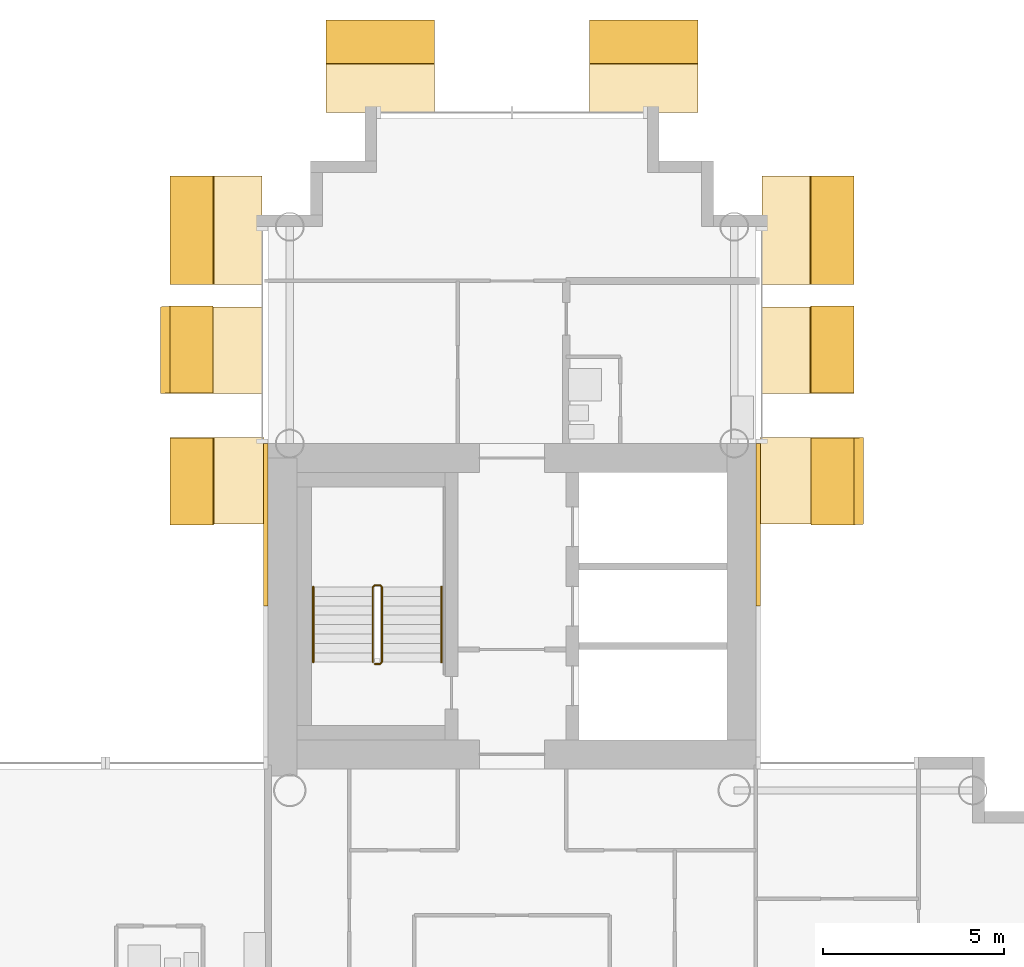
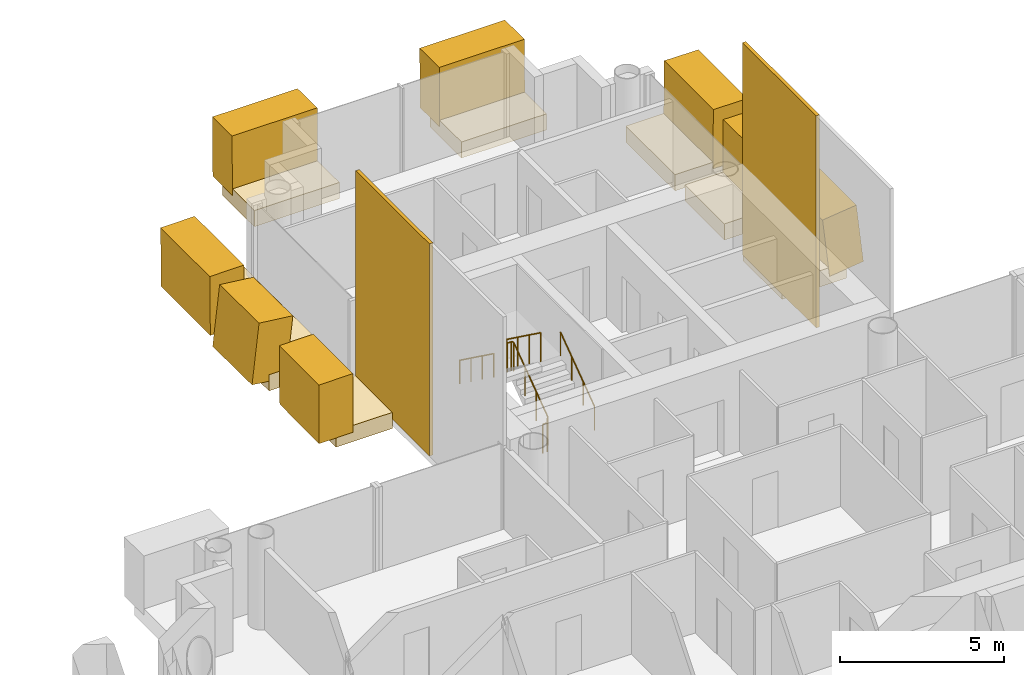
# One storey, part 17 of 18: 18 coverings, 3 railings.
"""IFC4 building model written with IfcOpenShell, lengths in metres."""

from ifc_helpers import new_model, si_unit, direction, frame, origin, origin_2d, place, context, subcontext, project, spatial, rectangle, circle, extrude, material, layer, layer_set, material_profile, profile_set, type_object, element, save


model = new_model("IFC4")

# Units and contexts
model_context = context("Model", 3, precision=1e-05, world=origin(), true_north=direction((0.0, 1.0)))
body_context = subcontext(model_context, "Body", "Model", "MODEL_VIEW")
ifc_project = project(units=[si_unit("LENGTHUNIT", "METRE"), si_unit("AREAUNIT", "SQUARE_METRE"), si_unit("VOLUMEUNIT", "CUBIC_METRE"), si_unit("PLANEANGLEUNIT", "RADIAN"), si_unit("MASSUNIT", "GRAM", prefix="KILO")], contexts=[model_context])

# Site, building, storey
site_placement = place(None, origin())
site = spatial("IfcSite", under=ifc_project, at=site_placement, CompositionType="ELEMENT")
building_placement = place(site_placement, origin())
building = spatial("IfcBuilding", under=site, at=building_placement, Name="Ipe Terrace Towers", CompositionType="ELEMENT")
storey_placement = place(building_placement, frame((0.0, 0.0, 177.89990234375)))
storey = spatial("IfcBuildingStorey", under=building, at=storey_placement, Name="L49", CompositionType="ELEMENT", Elevation=177.89990234375)

# Coverings
ifc_material_1 = material(Name="Concrete C50/60 precast, buff finish", Category="concrete")
ifc_layer = layer(ifc_material_1, 0.1201171875)
ifc_layer_set = layer_set([ifc_layer], Name="STONE CORE CLADDING 120")
covering_type_1 = type_object("IfcCoveringType", Name="STONE CORE CLADDING 120", PredefinedType="CLADDING", material=ifc_layer_set)
for number, where, z_axis, x_axis, name in (
    (1, (29.18994140625, 13.5, 0.000244140625), (0.0, 0.0, 1.0), (0.0, -1.0, 0.0), "stone core cladding"),
    (2, (42.81005859375, 13.5, 0.000244140625), (0.0, 0.0, 1.0), (0.0, 1.0, 0.0), "stone core cladding"),
):
    element("IfcCovering", number, at=place(storey_placement, frame(where, z_axis=z_axis, x_axis=x_axis)), inside=storey, type_object=covering_type_1, Name=name, PredefinedType="CLADDING", context=body_context, shape_type="SweptSolid", body=[
        extrude(rectangle(XDim=4.5009765625, YDim=0.1201171875, at=origin_2d()), origin(), (0.0, 0.0, 1.0), 7.89990234375),
    ])
ifc_material_2 = material(Name="Concrete C50/60 precast, buff finish", Category="concrete")
ifc_material_profile_1 = material_profile(ifc_material_2, rectangle(XDim=2.39990234375, YDim=1.199951171875, at=origin_2d()), Name="STONE FIN 2400 x 1200")
ifc_profile_set_1 = profile_set([ifc_material_profile_1], Name="Concrete C50/60 precast, buff finish")
covering_type_2 = type_object("IfcCoveringType", Name="STONE FIN 2400 x 1200", PredefinedType="USERDEFINED", material=ifc_profile_set_1)
covering_1_placement = place(storey_placement, frame((26.8720703125, 18.3330078125, 0.0), z_axis=(0.116377376115, 0.007714409402, 0.993175107529), x_axis=(0.000897809448, -0.999970243501, 0.00766198738)))
element("IfcCovering", 3, at=covering_1_placement, inside=storey, type_object=covering_type_2, Name="stone fin", ObjectType="FIN", PredefinedType="USERDEFINED", context=body_context, shape_type="SweptSolid", body=[
    extrude(rectangle(XDim=2.39990234375, YDim=1.199951171875, at=origin_2d()), origin(), (0.0, 0.0, 1.0), 2.21533203125),
])
for number, where, z_axis, x_axis, name in (
    (4, (27.152099609375, 14.717041015625, 0.0), (-0.01009682828, -0.007766790985, 0.999918862217), (7.8422315e-05, -0.999969838024, -0.007766395054), "stone fin"),
    (5, (44.847900390625, 18.3330078125, 0.0), (0.01009682828, 0.007766790985, 0.999918862217), (-7.8422315e-05, 0.999969838024, -0.007766395054), "stone fin"),
):
    element("IfcCovering", number, at=place(storey_placement, frame(where, z_axis=z_axis, x_axis=x_axis)), inside=storey, type_object=covering_type_2, Name=name, ObjectType="FIN", PredefinedType="USERDEFINED", context=body_context, shape_type="SweptSolid", body=[
        extrude(rectangle(XDim=2.39990234375, YDim=1.199951171875, at=origin_2d()), origin(), (0.0, 0.0, 1.0), 2.200439453125),
    ])
covering_2_placement = place(storey_placement, frame((45.1279296875, 14.717041015625, 0.0), z_axis=(-0.116377376115, -0.007714409402, 0.993175107529), x_axis=(-0.000897809448, 0.999970243501, 0.00766198738)))
element("IfcCovering", 6, at=covering_2_placement, inside=storey, type_object=covering_type_2, Name="stone fin", ObjectType="FIN", PredefinedType="USERDEFINED", context=body_context, shape_type="SweptSolid", body=[
    extrude(rectangle(XDim=2.39990234375, YDim=1.199951171875, at=origin_2d()), origin(), (0.0, 0.0, 1.0), 2.21533203125),
])
ifc_material_3 = material(Name="Concrete C50/60 precast, buff finish", Category="concrete")
ifc_material_profile_2 = material_profile(ifc_material_3, rectangle(XDim=3.0, YDim=1.199951171875, at=origin_2d()), Name="STONE FIN CORNER 3000 x 1200")
ifc_profile_set_2 = profile_set([ifc_material_profile_2], Name="Concrete C50/60 precast, buff finish")
covering_type_3 = type_object("IfcCoveringType", Name="STONE FIN CORNER 3000 x 1200", PredefinedType="USERDEFINED", material=ifc_profile_set_2)
for number, where, z_axis, x_axis, name in (
    (7, (27.152099609375, 21.64990234375, 0.0), (-0.01009713283, 0.0, 0.999949022655), (0.0, -1.0, 0.0), "stone fin"),
    (8, (32.35009765625, 26.847900390625, 0.0), (0.0, 0.01009713283, 0.999949022655), (-1.0, 0.0, 0.0), "stone fin"),
    (9, (39.64990234375, 26.847900390625, 0.0), (0.0, 0.01009713283, 0.999949022655), (-1.0, 0.0, 0.0), "stone fin"),
    (10, (44.847900390625, 21.64990234375, 0.0), (0.01009713283, 0.0, 0.999949022655), (0.0, 1.0, 0.0), "stone fin"),
):
    element("IfcCovering", number, at=place(storey_placement, frame(where, z_axis=z_axis, x_axis=x_axis)), inside=storey, type_object=covering_type_3, Name=name, ObjectType="FIN", PredefinedType="USERDEFINED", context=body_context, shape_type="SweptSolid", body=[
        extrude(rectangle(XDim=3.0, YDim=1.199951171875, at=origin_2d()), origin(), (0.0, 0.0, 1.0), 2.2001953125),
    ])
ifc_material_4 = material(Name="Concrete C50/60 precast, buff finish", Category="concrete")
covering_type_4 = type_object("IfcCoveringType", Name="STONE FIN SHELF 2400 x 600", PredefinedType="CLADDING", material=ifc_material_4)
covering_3_placement = place(storey_placement, frame((27.97802734375, 18.3330078125, -0.349853515625), z_axis=(0.0, 0.0, 1.0), x_axis=(0.0, -1.0, 0.0)))
element("IfcCovering", 11, at=covering_3_placement, inside=storey, type_object=covering_type_4, Name="stone fin shelf", PredefinedType="CLADDING", context=body_context, shape_type="SweptSolid", body=[
    extrude(rectangle(XDim=2.39990234375, YDim=2.2119140625, at=origin_2d()), origin(), (0.0, 0.0, 1.0), 0.60009765625),
])
covering_4_placement = place(storey_placement, frame((28.14599609375, 14.717041015625, -0.349853515625), z_axis=(0.0, 0.0, 1.0), x_axis=(0.0, -1.0, 0.0)))
element("IfcCovering", 12, at=covering_4_placement, inside=storey, type_object=covering_type_4, Name="stone fin shelf", PredefinedType="CLADDING", context=body_context, shape_type="SweptSolid", body=[
    extrude(rectangle(XDim=2.39990234375, YDim=1.988037109375, at=origin_2d()), origin(), (0.0, 0.0, 1.0), 0.60009765625),
])
covering_5_placement = place(storey_placement, frame((43.882080078125, 18.3330078125, -0.349853515625), z_axis=(0.0, 0.0, 1.0), x_axis=(0.0, 1.0, 0.0)))
element("IfcCovering", 13, at=covering_5_placement, inside=storey, type_object=covering_type_4, Name="stone fin shelf", PredefinedType="CLADDING", context=body_context, shape_type="SweptSolid", body=[
    extrude(rectangle(XDim=2.39990234375, YDim=1.931884765625, at=origin_2d()), origin(), (0.0, 0.0, 1.0), 0.60009765625),
])
covering_6_placement = place(storey_placement, frame((43.993896484375, 14.717041015625, -0.349853515625), z_axis=(0.0, 0.0, 1.0), x_axis=(0.0, 1.0, 0.0)))
element("IfcCovering", 14, at=covering_6_placement, inside=storey, type_object=covering_type_4, Name="stone fin shelf", PredefinedType="CLADDING", context=body_context, shape_type="SweptSolid", body=[
    extrude(rectangle(XDim=2.39990234375, YDim=2.26806640625, at=origin_2d()), origin(), (0.0, 0.0, 1.0), 0.60009765625),
])
ifc_material_5 = material(Name="Concrete C50/60 precast, buff finish", Category="concrete")
covering_type_5 = type_object("IfcCoveringType", Name="STONE FIN SHELF 3000 x 600", PredefinedType="CLADDING", material=ifc_material_5)
for number, where, z_axis, x_axis, name in (
    (15, (28.117919921875, 21.64990234375, -0.349853515625), (0.0, 0.0, 1.0), (0.0, -1.0, 0.0), "stone fin shelf"),
    (16, (32.35009765625, 25.882080078125, -0.349853515625), (0.0, 0.0, 1.0), (-1.0, 0.0, 0.0), "stone fin shelf"),
    (17, (39.64990234375, 25.882080078125, -0.349853515625), (0.0, 0.0, 1.0), (-1.0, 0.0, 0.0), "stone fin shelf"),
    (18, (43.882080078125, 21.64990234375, -0.349853515625), (0.0, 0.0, 1.0), (0.0, 1.0, 0.0), "stone fin shelf"),
):
    element("IfcCovering", number, at=place(storey_placement, frame(where, z_axis=z_axis, x_axis=x_axis)), inside=storey, type_object=covering_type_5, Name=name, PredefinedType="CLADDING", context=body_context, shape_type="SweptSolid", body=[
        extrude(rectangle(XDim=3.0, YDim=1.931884765625, at=origin_2d()), origin(), (0.0, 0.0, 1.0), 0.60009765625),
    ])

# Railings
ifc_material_6 = material(Name="Steel S355", Category="steel")
railing_type_1 = type_object("IfcRailingType", Name="Stair guard 1100", PredefinedType="GUARDRAIL", material=ifc_material_6)
railing_1_placement = place(storey_placement, frame((32.199951171875, 9.64990234375, 0.0)))
element("IfcRailing", 19, at=railing_1_placement, inside=storey, type_object=railing_type_1, Name="L49 T2-ST1 stair guard 1", PredefinedType="GUARDRAIL", context=body_context, shape_type="SweptSolid", body=[
    extrude(circle(Radius=0.02392578125, at=origin_2d()), frame((0.0, 0.0, 1.076171875), z_axis=(1.0, 0.0, 0.0), x_axis=(0.0, 1.0, 0.0)), (0.0, 0.0, 1.0), 0.150146484375),
    extrude(circle(Radius=0.02392578125, at=origin_2d()), frame((0.150146484375, 0.0, 1.076171875), z_axis=(0.246893586699, 0.248103849378, 0.936743314239), x_axis=(-0.708833529934, 0.705375805398, 0.0)), (0.0, 0.0, 1.0), 0.20166015625),
    extrude(circle(Radius=0.02392578125, at=origin_2d()), frame((0.199951171875, 0.050048828125, 1.26513671875), z_axis=(0.0, 0.809023421508, 0.587776406001), x_axis=(-1.0, 0.0, 0.0)), (0.0, 0.0, 1.0), 2.571044921875),
    extrude(circle(Radius=0.02392578125, at=origin_2d()), frame((0.199951171875, 2.130126953125, 2.7763671875), z_axis=(-0.705375805398, 0.708833529934, 0.0), x_axis=(-0.708833529934, -0.705375805398, 0.0)), (0.0, 0.0, 1.0), 0.070556640625),
    extrude(circle(Radius=0.02392578125, at=origin_2d()), frame((0.150146484375, 2.18017578125, 2.7763671875), z_axis=(-1.0, 0.0, 0.0), x_axis=(0.0, -1.0, 0.0)), (0.0, 0.0, 1.0), 0.150146484375),
    extrude(circle(Radius=0.02392578125, at=origin_2d()), frame((0.0, 2.18017578125, 2.7763671875), z_axis=(-0.248310886586, -0.248310886586, 0.936313733321), x_axis=(0.707106781187, -0.707106781187, 0.0)), (0.0, 0.0, 1.0), 0.20166015625),
    extrude(circle(Radius=0.02392578125, at=origin_2d()), frame((-0.050048828125, 2.130126953125, 2.96484375), z_axis=(0.0, -0.809023421508, 0.587776406001), x_axis=(1.0, 0.0, 0.0)), (0.0, 0.0, 1.0), 2.571044921875),
    extrude(circle(Radius=0.02099609375, at=origin_2d()), origin(), (0.0, 0.0, 1.0), 1.052001953125),
    extrude(circle(Radius=0.02099609375, at=origin_2d()), frame((0.150146484375, 0.0, 0.0)), (0.0, 0.0, 1.0), 1.052001953125),
    extrude(circle(Radius=0.02099609375, at=origin_2d()), frame((0.199951171875, 0.050048828125, 0.18896484375)), (0.0, 0.0, 1.0), 1.052001953125),
    extrude(circle(Radius=0.02099609375, at=origin_2d()), frame((0.199951171875, 0.743408203125, 0.692626953125)), (0.0, 0.0, 1.0), 1.052001953125),
    extrude(circle(Radius=0.02099609375, at=origin_2d()), frame((0.199951171875, 1.436767578125, 1.196533203125)), (0.0, 0.0, 1.0), 1.052001953125),
    extrude(circle(Radius=0.02099609375, at=origin_2d()), frame((0.199951171875, 2.130126953125, 1.7001953125)), (0.0, 0.0, 1.0), 1.052001953125),
    extrude(circle(Radius=0.02099609375, at=origin_2d()), frame((0.150146484375, 2.18017578125, 1.7001953125)), (0.0, 0.0, 1.0), 1.052001953125),
    extrude(circle(Radius=0.02099609375, at=origin_2d()), frame((0.0, 2.18017578125, 1.7001953125)), (0.0, 0.0, 1.0), 1.052001953125),
    extrude(circle(Radius=0.02099609375, at=origin_2d()), frame((-0.050048828125, 2.130126953125, 1.888916015625)), (0.0, 0.0, 1.0), 1.052001953125),
    extrude(circle(Radius=0.02099609375, at=origin_2d()), frame((-0.050048828125, 1.436767578125, 2.392578125)), (0.0, 0.0, 1.0), 1.052001953125),
    extrude(circle(Radius=0.02099609375, at=origin_2d()), frame((-0.050048828125, 0.743408203125, 2.896484375)), (0.0, 0.0, 1.0), 1.052001953125),
    extrude(circle(Radius=0.02099609375, at=origin_2d()), frame((-0.050048828125, 0.050048828125, 3.400146484375)), (0.0, 0.0, 1.0), 1.052001953125),
])
ifc_material_7 = material(Name="Stainless steel grade 304", Category="steel")
railing_type_2 = type_object("IfcRailingType", Name="Stair handrail 900", PredefinedType="HANDRAIL", material=ifc_material_7)
railing_2_placement = place(storey_placement, frame((34.050048828125, 9.699951171875, 0.18896484375)))
element("IfcRailing", 20, at=railing_2_placement, inside=storey, type_object=railing_type_2, Name="L49 T2-ST1 stair handrail 1", PredefinedType="HANDRAIL", context=body_context, shape_type="SweptSolid", body=[
    extrude(circle(Radius=0.02392578125, at=origin_2d()), frame((0.0, 0.0, 0.8759765625), z_axis=(0.0, 0.809023421508, 0.587776406001), x_axis=(-1.0, 0.0, 0.0)), (0.0, 0.0, 1.0), 2.571044921875),
    extrude(circle(Radius=0.02099609375, at=origin_2d()), origin(), (0.0, 0.0, 1.0), 0.851806640625),
    extrude(circle(Radius=0.02099609375, at=origin_2d()), frame((0.0, 0.693359375, 0.503662109375)), (0.0, 0.0, 1.0), 0.851806640625),
    extrude(circle(Radius=0.02099609375, at=origin_2d()), frame((0.0, 1.38671875, 1.007568359375)), (0.0, 0.0, 1.0), 0.851806640625),
    extrude(circle(Radius=0.02099609375, at=origin_2d()), frame((0.0, 2.080078125, 1.51123046875)), (0.0, 0.0, 1.0), 0.851806640625),
])
railing_3_placement = place(storey_placement, frame((30.5, 11.780029296875, 1.888916015625)))
element("IfcRailing", 21, at=railing_3_placement, inside=storey, type_object=railing_type_2, Name="L49 T2-ST1 stair handrail 2", PredefinedType="HANDRAIL", context=body_context, shape_type="SweptSolid", body=[
    extrude(circle(Radius=0.02392578125, at=origin_2d()), frame((0.0, 0.0, 0.8759765625), z_axis=(0.0, -0.809023421508, 0.587776406001), x_axis=(1.0, 0.0, 0.0)), (0.0, 0.0, 1.0), 2.571044921875),
    extrude(circle(Radius=0.02099609375, at=origin_2d()), origin(), (0.0, 0.0, 1.0), 0.851806640625),
    extrude(circle(Radius=0.02099609375, at=origin_2d()), frame((0.0, -0.693359375, 0.503662109375)), (0.0, 0.0, 1.0), 0.851806640625),
    extrude(circle(Radius=0.02099609375, at=origin_2d()), frame((0.0, -1.38671875, 1.007568359375)), (0.0, 0.0, 1.0), 0.851806640625),
    extrude(circle(Radius=0.02099609375, at=origin_2d()), frame((0.0, -2.080078125, 1.51123046875)), (0.0, 0.0, 1.0), 0.851806640625),
])

save(model, "model.ifc")
